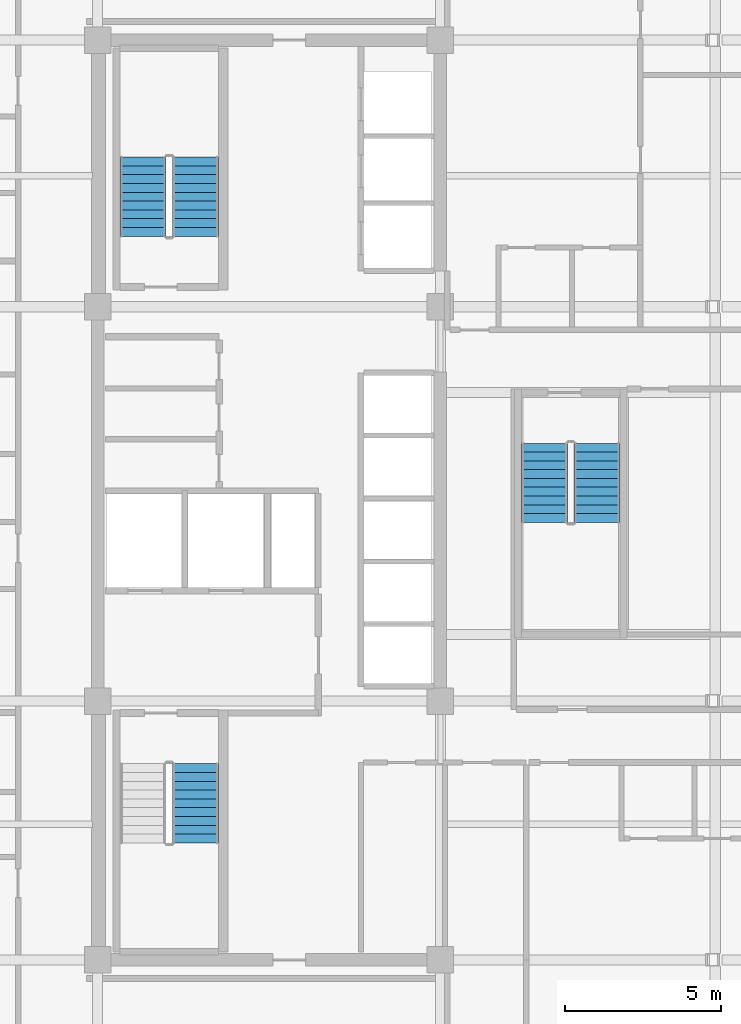
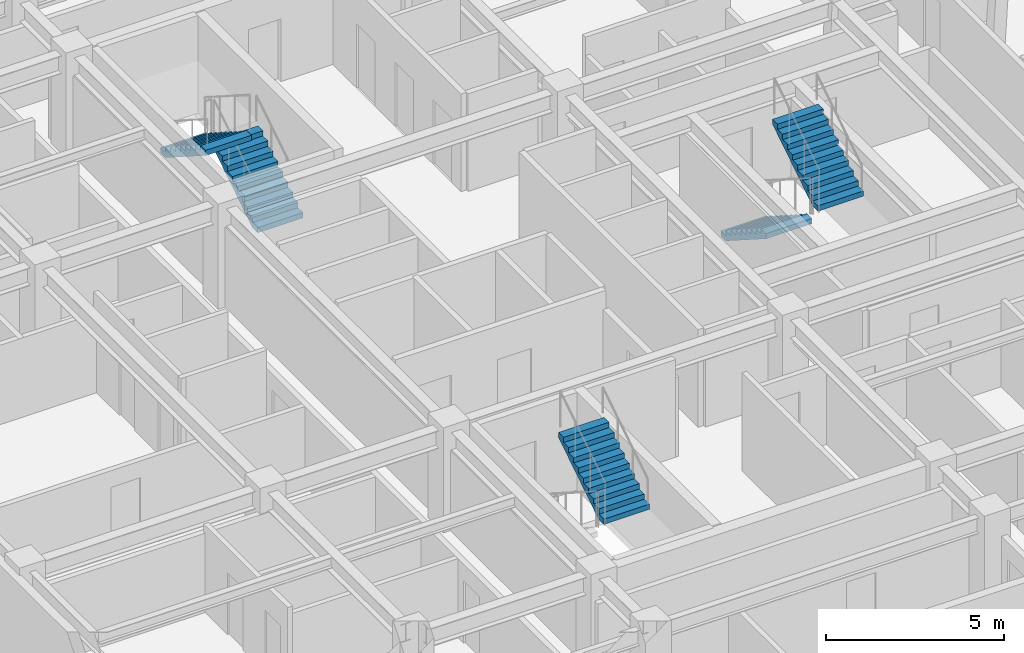
# One storey, part 8 of 9: 5 stair flights, 3 elements without a shape of their own.
"""IFC4 building model written with IfcOpenShell, lengths in metres."""

from ifc_helpers import new_model, si_unit, direction, frame, origin, place, context, subcontext, project, spatial, polyline, outline, extrude, material, type_object, element, aggregate, save


model = new_model("IFC4")

# Units and contexts
model_context = context("Model", 3, precision=1e-05, world=origin(), true_north=direction((0.0, 1.0)))
body_context = subcontext(model_context, "Body", "Model", "MODEL_VIEW")
ifc_project = project(units=[si_unit("LENGTHUNIT", "METRE"), si_unit("AREAUNIT", "SQUARE_METRE"), si_unit("VOLUMEUNIT", "CUBIC_METRE"), si_unit("PLANEANGLEUNIT", "RADIAN"), si_unit("MASSUNIT", "GRAM", prefix="KILO")], contexts=[model_context])

# Site, building, storey
site_placement = place(None, origin())
site = spatial("IfcSite", under=ifc_project, at=site_placement, CompositionType="ELEMENT")
building_placement = place(site_placement, origin())
building = spatial("IfcBuilding", under=site, at=building_placement, Name="Ochreholt Gables", CompositionType="ELEMENT")
storey_placement = place(building_placement, frame((0.0, 0.0, 113.39990234375)))
storey = spatial("IfcBuildingStorey", under=building, at=storey_placement, Name="L29", CompositionType="ELEMENT", Elevation=113.39990234375)

# Stair, stair flight
ifc_material = material(Name="Concrete 40 MPa", Category="concrete")
stair_type_1 = type_object("IfcStairType", Name="STAIR-CORE-ST-1", PredefinedType="HALF_TURN_STAIR", material=ifc_material)
stair_1_placement = place(storey_placement, origin())
stair_1 = element("IfcStair", 1, at=stair_1_placement, inside=storey, type_object=stair_type_1, Name="L29 Core Exit Stair 1", PredefinedType="HALF_TURN_STAIR")
stair_flight_type = type_object("IfcStairFlightType", Name="FLIGHT-ST-1480-1800", PredefinedType="STRAIGHT", material=ifc_material)
stair_flight_1_placement = place(storey_placement, frame((27.340087890625, 13.001953125, 1.800048828125), z_axis=(0.0, 0.0, 1.0), x_axis=(0.0, 1.0, 0.0)))
stair_flight_1 = element("IfcStairFlight", 2, at=stair_flight_1_placement, type_object=stair_flight_type, Name="ST-1 flight 2", NumberOfRisers=10, NumberOfTreads=9, PredefinedType="STRAIGHT", RiserHeight=0.18, TreadLength=0.282, context=body_context, shape_type="SweptSolid", body=[
    extrude(outline(polyline([(0.0, 0.0), (0.0, 0.179931640625), (0.281982421875, 0.179931640625), (0.281982421875, 0.360107421875), (0.56396484375, 0.360107421875), (0.56396484375, 0.5400390625), (0.845947265625, 0.5400390625), (0.845947265625, 0.719970703125), (1.1279296875, 0.719970703125), (1.1279296875, 0.89990234375), (1.409912109375, 0.89990234375), (1.409912109375, 1.080078125), (1.69189453125, 1.080078125), (1.69189453125, 1.260009765625), (1.97412109375, 1.260009765625), (1.97412109375, 1.43994140625), (2.256103515625, 1.43994140625), (2.256103515625, 1.6201171875), (2.5380859375, 1.6201171875), (2.5380859375, 1.800048828125), (2.5380859375, 1.442138671875), (0.278564453125, 0.0), (0.0, 0.0)])), frame((0.0, 0.739990234375, 0.0), z_axis=(0.0, -1.0, 0.0), x_axis=(1.0, 0.0, 0.0)), (0.0, 0.0, 1.0), 1.47998046875),
])
aggregate(stair_1, [stair_flight_1])

# Stair, stair flights
stair_type_2 = type_object("IfcStairType", Name="STAIR-CORE-ST-2", PredefinedType="HALF_TURN_STAIR", material=ifc_material)
stair_2_placement = place(storey_placement, origin())
stair_2 = element("IfcStair", 3, at=stair_2_placement, inside=storey, type_object=stair_type_2, Name="L29 Core Exit Stair 2", PredefinedType="HALF_TURN_STAIR")
stair_flight_2_placement = place(storey_placement, frame((27.340087890625, 32.4599609375, 0.0), z_axis=(0.0, 0.0, 1.0), x_axis=(0.0, 1.0, 0.0)))
stair_flight_2 = element("IfcStairFlight", 4, at=stair_flight_2_placement, type_object=stair_flight_type, Name="ST-2 flight 1", NumberOfRisers=10, NumberOfTreads=9, PredefinedType="STRAIGHT", RiserHeight=0.18, TreadLength=0.282, context=body_context, shape_type="SweptSolid", body=[
    extrude(outline(polyline([(0.0, 0.0), (0.0, 0.179931640625), (0.281982421875, 0.179931640625), (0.281982421875, 0.360107421875), (0.56396484375, 0.360107421875), (0.56396484375, 0.5400390625), (0.845947265625, 0.5400390625), (0.845947265625, 0.719970703125), (1.1279296875, 0.719970703125), (1.1279296875, 0.89990234375), (1.409912109375, 0.89990234375), (1.409912109375, 1.080078125), (1.69189453125, 1.080078125), (1.69189453125, 1.260009765625), (1.97412109375, 1.260009765625), (1.97412109375, 1.43994140625), (2.256103515625, 1.43994140625), (2.256103515625, 1.6201171875), (2.5380859375, 1.6201171875), (2.5380859375, 1.800048828125), (2.5380859375, 1.442138671875), (0.278564453125, 0.0), (0.0, 0.0)])), frame((0.0, 0.739990234375, 0.0), z_axis=(0.0, -1.0, 0.0), x_axis=(1.0, 0.0, 0.0)), (0.0, 0.0, 1.0), 1.47998046875),
])
stair_flight_3_placement = place(storey_placement, frame((25.659912109375, 34.998046875, 1.800048828125), z_axis=(0.0, 0.0, 1.0), x_axis=(0.0, -1.0, 0.0)))
stair_flight_3 = element("IfcStairFlight", 5, at=stair_flight_3_placement, type_object=stair_flight_type, Name="ST-2 flight 2", NumberOfRisers=10, NumberOfTreads=9, PredefinedType="STRAIGHT", RiserHeight=0.18, TreadLength=0.282, context=body_context, shape_type="SweptSolid", body=[
    extrude(outline(polyline([(0.0, 0.0), (0.0, 0.179931640625), (0.281982421875, 0.179931640625), (0.281982421875, 0.360107421875), (0.56396484375, 0.360107421875), (0.56396484375, 0.5400390625), (0.845947265625, 0.5400390625), (0.845947265625, 0.719970703125), (1.1279296875, 0.719970703125), (1.1279296875, 0.89990234375), (1.409912109375, 0.89990234375), (1.409912109375, 1.080078125), (1.69189453125, 1.080078125), (1.69189453125, 1.260009765625), (1.97412109375, 1.260009765625), (1.97412109375, 1.43994140625), (2.256103515625, 1.43994140625), (2.256103515625, 1.6201171875), (2.5380859375, 1.6201171875), (2.5380859375, 1.800048828125), (2.5380859375, 1.442138671875), (0.278564453125, 0.0), (0.0, 0.0)])), frame((0.0, 0.739990234375, 0.0), z_axis=(0.0, -1.0, 0.0), x_axis=(1.0, 0.0, 0.0)), (0.0, 0.0, 1.0), 1.47998046875),
])
aggregate(stair_2, [stair_flight_2, stair_flight_3])

stair_type_3 = type_object("IfcStairType", Name="STAIR-CORE-ST-C3", PredefinedType="HALF_TURN_STAIR", material=ifc_material)
stair_3_placement = place(storey_placement, origin())
stair_3 = element("IfcStair", 6, at=stair_3_placement, inside=storey, type_object=stair_type_3, Name="L29 Community Feature Stair ST-C3", PredefinedType="HALF_TURN_STAIR")
stair_flight_4_placement = place(storey_placement, frame((38.5400390625, 25.820068359375, 0.0), z_axis=(0.0, 0.0, 1.0), x_axis=(0.0, -1.0, 0.0)))
stair_flight_4 = element("IfcStairFlight", 7, at=stair_flight_4_placement, type_object=stair_flight_type, Name="ST-C3 flight 1", NumberOfRisers=10, NumberOfTreads=9, PredefinedType="STRAIGHT", RiserHeight=0.18, TreadLength=0.282, context=body_context, shape_type="SweptSolid", body=[
    extrude(outline(polyline([(0.0, 0.0), (0.0, 0.179931640625), (0.281982421875, 0.179931640625), (0.281982421875, 0.360107421875), (0.56396484375, 0.360107421875), (0.56396484375, 0.5400390625), (0.845947265625, 0.5400390625), (0.845947265625, 0.719970703125), (1.1279296875, 0.719970703125), (1.1279296875, 0.89990234375), (1.409912109375, 0.89990234375), (1.409912109375, 1.080078125), (1.69189453125, 1.080078125), (1.69189453125, 1.260009765625), (1.97412109375, 1.260009765625), (1.97412109375, 1.43994140625), (2.256103515625, 1.43994140625), (2.256103515625, 1.6201171875), (2.5380859375, 1.6201171875), (2.5380859375, 1.800048828125), (2.5380859375, 1.442138671875), (0.278564453125, 0.0), (0.0, 0.0)])), frame((0.0, 0.739990234375, 0.0), z_axis=(0.0, -1.0, 0.0), x_axis=(1.0, 0.0, 0.0)), (0.0, 0.0, 1.0), 1.47998046875),
])
stair_flight_5_placement = place(storey_placement, frame((40.219970703125, 23.281982421875, 1.800048828125), z_axis=(0.0, 0.0, 1.0), x_axis=(0.0, 1.0, 0.0)))
stair_flight_5 = element("IfcStairFlight", 8, at=stair_flight_5_placement, type_object=stair_flight_type, Name="ST-C3 flight 2", NumberOfRisers=10, NumberOfTreads=9, PredefinedType="STRAIGHT", RiserHeight=0.18, TreadLength=0.282, context=body_context, shape_type="SweptSolid", body=[
    extrude(outline(polyline([(0.0, 0.0), (0.0, 0.179931640625), (0.281982421875, 0.179931640625), (0.281982421875, 0.360107421875), (0.56396484375, 0.360107421875), (0.56396484375, 0.5400390625), (0.845947265625, 0.5400390625), (0.845947265625, 0.719970703125), (1.1279296875, 0.719970703125), (1.1279296875, 0.89990234375), (1.409912109375, 0.89990234375), (1.409912109375, 1.080078125), (1.69189453125, 1.080078125), (1.69189453125, 1.260009765625), (1.97412109375, 1.260009765625), (1.97412109375, 1.43994140625), (2.256103515625, 1.43994140625), (2.256103515625, 1.6201171875), (2.5380859375, 1.6201171875), (2.5380859375, 1.800048828125), (2.5380859375, 1.442138671875), (0.278564453125, 0.0), (0.0, 0.0)])), frame((0.0, 0.739990234375, 0.0), z_axis=(0.0, -1.0, 0.0), x_axis=(1.0, 0.0, 0.0)), (0.0, 0.0, 1.0), 1.47998046875),
])
aggregate(stair_3, [stair_flight_4, stair_flight_5])

save(model, "model.ifc")
